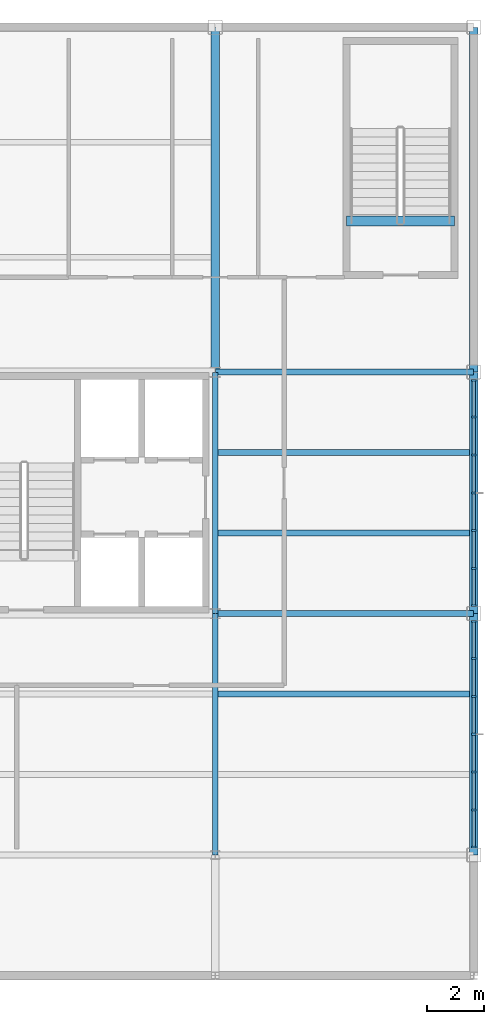
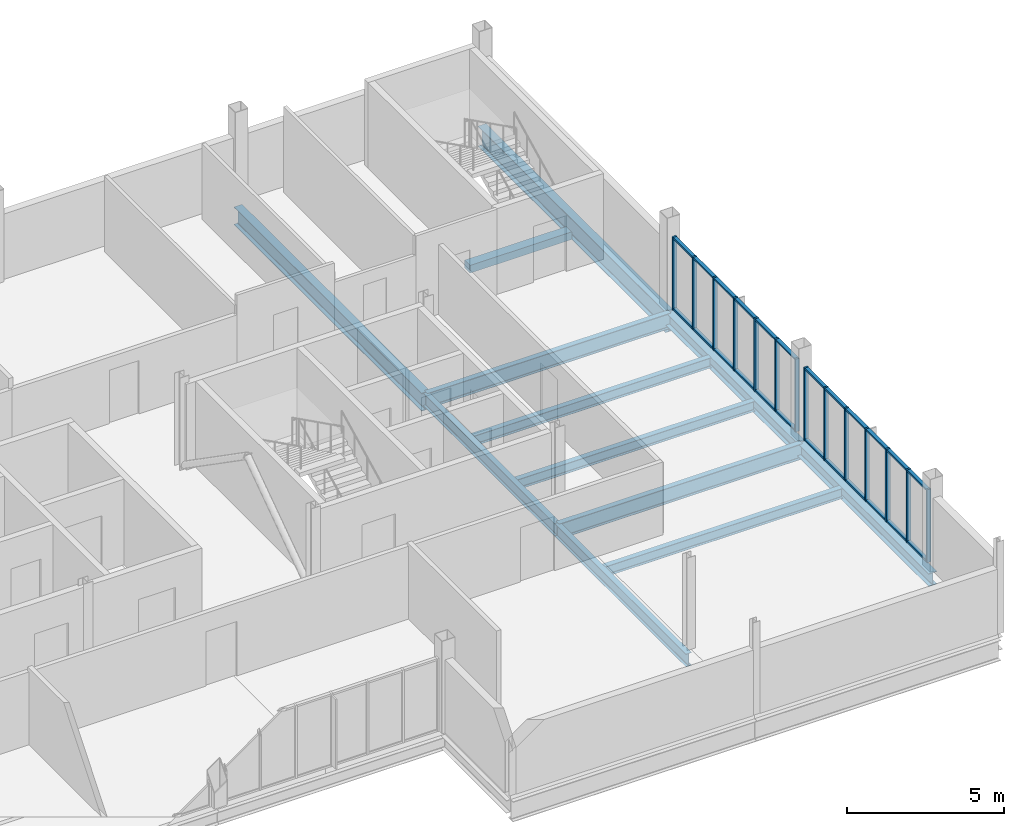
# One storey, part 8 of 16: 38 members, 12 beams, 2 elements without a shape of their own.
"""IFC4 building model written with IfcOpenShell, lengths in metres."""

from ifc_helpers import new_model, si_unit, direction, frame, origin, origin_2d, place, context, subcontext, project, spatial, rectangle, i_section, extrude, material, layer, layer_set, material_profile, profile_set, type_object, element, aggregate, save


model = new_model("IFC4")

# Units and contexts
model_context = context("Model", 3, precision=1e-05, world=origin(), true_north=direction((0.0, 1.0)))
body_context = subcontext(model_context, "Body", "Model", "MODEL_VIEW")
ifc_project = project(units=[si_unit("LENGTHUNIT", "METRE"), si_unit("AREAUNIT", "SQUARE_METRE"), si_unit("VOLUMEUNIT", "CUBIC_METRE"), si_unit("PLANEANGLEUNIT", "RADIAN"), si_unit("MASSUNIT", "GRAM", prefix="KILO")], contexts=[model_context])

# Site, building, storey
site_placement = place(None, origin())
site = spatial("IfcSite", under=ifc_project, at=site_placement, CompositionType="ELEMENT")
building_placement = place(site_placement, origin())
building = spatial("IfcBuilding", under=site, at=building_placement, Name="Yukiwa Park Conservatory and Herbarium", CompositionType="ELEMENT")
storey_placement = place(building_placement, frame((0.0, 0.0, 39.60009765625)))
storey = spatial("IfcBuildingStorey", under=building, at=storey_placement, Name="L10", CompositionType="ELEMENT", Elevation=39.60009765625)

# Beams
ifc_material_1 = material(Name="Steel Q355D", Category="steel")
ifc_material_profile_1 = material_profile(ifc_material_1, i_section(OverallWidth=0.199951171875, OverallDepth=0.5, WebThickness=0.010009765625, FlangeThickness=0.01611328125, FilletRadius=0.02001953125, at=origin_2d()), Name="HN 500x200x10x16")
ifc_profile_set_1 = profile_set([ifc_material_profile_1], Name="Steel Q355D")
beam_type_1 = type_object("IfcBeamType", Name="BM-GRD-HN500", PredefinedType="BEAM", material=ifc_profile_set_1)
beam_1_placement = place(storey_placement, frame((159.0, 86.406005859375, -0.502197265625), z_axis=(0.0, 1.0, 0.0), x_axis=(-1.0, 0.0, 0.0)))
element("IfcBeam", 1, at=beam_1_placement, inside=storey, type_object=beam_type_1, Name="L10 grid girder Y-36", PredefinedType="BEAM", context=body_context, shape_type="SweptSolid", body=[
    extrude(i_section(OverallWidth=0.199951171875, OverallDepth=0.5, WebThickness=0.010009765625, FlangeThickness=0.01611328125, FilletRadius=0.02001953125, at=origin_2d()), origin(), (0.0, 0.0, 1.0), 8.387939453125),
])
beam_2_placement = place(storey_placement, frame((159.0, 94.805908203125, -0.502197265625), z_axis=(0.0, 1.0, 0.0), x_axis=(-1.0, 0.0, 0.0)))
element("IfcBeam", 2, at=beam_2_placement, inside=storey, type_object=beam_type_1, Name="L10 grid girder Y-37", PredefinedType="BEAM", context=body_context, shape_type="SweptSolid", body=[
    extrude(i_section(OverallWidth=0.199951171875, OverallDepth=0.5, WebThickness=0.010009765625, FlangeThickness=0.01611328125, FilletRadius=0.02001953125, at=origin_2d()), origin(), (0.0, 0.0, 1.0), 8.38818359375),
])
ifc_material_2 = material(Name="Steel Q355D", Category="steel")
ifc_material_profile_2 = material_profile(ifc_material_2, i_section(OverallWidth=0.199951171875, OverallDepth=0.60009765625, WebThickness=0.010986328125, FlangeThickness=0.01708984375, FilletRadius=0.02197265625, at=origin_2d()), Name="HN 600x200x11x17")
ifc_profile_set_2 = profile_set([ifc_material_profile_2], Name="Steel Q355D")
beam_type_2 = type_object("IfcBeamType", Name="BM-GRD-HN600", PredefinedType="BEAM", material=ifc_profile_set_2)
for number, where, z_axis, x_axis, name in (
    (3, (159.006103515625, 94.800048828125, -0.552001953125), (1.0, 0.0, 0.0), (0.0, 1.0, 0.0), "L10 grid beam X-12"),
    (4, (159.006103515625, 103.199951171875, -0.552001953125), (1.0, 0.0, 0.0), (0.0, 1.0, 0.0), "L10 grid beam X-17"),
):
    element("IfcBeam", number, at=place(storey_placement, frame(where, z_axis=z_axis, x_axis=x_axis)), inside=storey, type_object=beam_type_2, Name=name, PredefinedType="BEAM", context=body_context, shape_type="SweptSolid", body=[
        extrude(i_section(OverallWidth=0.199951171875, OverallDepth=0.60009765625, WebThickness=0.010986328125, FlangeThickness=0.01708984375, FilletRadius=0.02197265625, at=origin_2d()), origin(), (0.0, 0.0, 1.0), 8.98779296875),
    ])
ifc_material_3 = material(Name="Steel Q355D", Category="steel")
ifc_material_profile_3 = material_profile(ifc_material_3, i_section(OverallWidth=0.300048828125, OverallDepth=0.699951171875, WebThickness=0.012939453125, FlangeThickness=0.02392578125, FilletRadius=0.028076171875, at=origin_2d()), Name="HN 700x300x13x24")
ifc_profile_set_3 = profile_set([ifc_material_profile_3], Name="Steel Q355D")
beam_type_3 = type_object("IfcBeamType", Name="BM-GRD-HN700", PredefinedType="BEAM", material=ifc_profile_set_3)
beam_3_placement = place(storey_placement, frame((159.0, 103.2060546875, -0.60205078125), z_axis=(0.0, 1.0, 0.0), x_axis=(-1.0, 0.0, 0.0)))
element("IfcBeam", 5, at=beam_3_placement, inside=storey, type_object=beam_type_3, Name="L10 grid girder Y-38", PredefinedType="BEAM", context=body_context, shape_type="SweptSolid", body=[
    extrude(i_section(OverallWidth=0.300048828125, OverallDepth=0.699951171875, WebThickness=0.012939453125, FlangeThickness=0.02392578125, FilletRadius=0.028076171875, at=origin_2d()), origin(), (0.0, 0.0, 1.0), 11.988037109375),
])
ifc_material_4 = material(Name="Steel Q355D", Category="steel")
ifc_material_profile_4 = material_profile(ifc_material_4, i_section(OverallWidth=0.198974609375, OverallDepth=0.39599609375, WebThickness=0.007080078125, FlangeThickness=0.010986328125, FilletRadius=0.01611328125, at=origin_2d()), Name="HN 396x199x7x11")
ifc_profile_set_4 = profile_set([ifc_material_profile_4], Name="Steel Q355D")
beam_type_4 = type_object("IfcBeamType", Name="BM-JST-HN396", PredefinedType="JOIST", material=ifc_profile_set_4)
for number, where, z_axis, x_axis, name in (
    (6, (159.095947265625, 92.0, -0.4501953125), (1.0, 0.0, 0.0), (0.0, 1.0, 0.0), "L10 composite floor joist 20"),
    (7, (159.095947265625, 97.60009765625, -0.4501953125), (1.0, 0.0, 0.0), (0.0, 1.0, 0.0), "L10 composite floor joist 21"),
    (8, (159.095947265625, 100.39990234375, -0.4501953125), (1.0, 0.0, 0.0), (0.0, 1.0, 0.0), "L10 composite floor joist 22"),
):
    element("IfcBeam", number, at=place(storey_placement, frame(where, z_axis=z_axis, x_axis=x_axis)), inside=storey, type_object=beam_type_4, Name=name, PredefinedType="JOIST", context=body_context, shape_type="SweptSolid", body=[
        extrude(i_section(OverallWidth=0.198974609375, OverallDepth=0.39599609375, WebThickness=0.007080078125, FlangeThickness=0.010986328125, FilletRadius=0.01611328125, at=origin_2d()), origin(), (0.0, 0.0, 1.0), 8.758056640625),
    ])
ifc_material_5 = material(Name="Steel Q355D", Category="steel")
ifc_material_profile_5 = material_profile(ifc_material_5, i_section(OverallWidth=0.300048828125, OverallDepth=0.5, WebThickness=0.010986328125, FlangeThickness=0.01806640625, FilletRadius=0.02392578125, at=origin_2d()), Name="HM 500x300x11x18")
ifc_profile_set_5 = profile_set([ifc_material_profile_5], Name="Steel Q355D")
beam_type_5 = type_object("IfcBeamType", Name="BM-SPN-HN500", PredefinedType="SPANDREL", material=ifc_profile_set_5)
beam_4_placement = place(storey_placement, frame((168.0, 86.406005859375, -0.502197265625), z_axis=(0.0, 1.0, 0.0), x_axis=(-1.0, 0.0, 0.0)))
element("IfcBeam", 9, at=beam_4_placement, inside=storey, type_object=beam_type_5, Name="L10 spandrel girder Y-40", PredefinedType="SPANDREL", context=body_context, shape_type="SweptSolid", body=[
    extrude(i_section(OverallWidth=0.300048828125, OverallDepth=0.5, WebThickness=0.010986328125, FlangeThickness=0.01806640625, FilletRadius=0.02392578125, at=origin_2d()), origin(), (0.0, 0.0, 1.0), 8.387939453125),
])
beam_5_placement = place(storey_placement, frame((168.0, 94.805908203125, -0.502197265625), z_axis=(0.0, 1.0, 0.0), x_axis=(-1.0, 0.0, 0.0)))
element("IfcBeam", 10, at=beam_5_placement, inside=storey, type_object=beam_type_5, Name="L10 spandrel girder Y-41", PredefinedType="SPANDREL", context=body_context, shape_type="SweptSolid", body=[
    extrude(i_section(OverallWidth=0.300048828125, OverallDepth=0.5, WebThickness=0.010986328125, FlangeThickness=0.01806640625, FilletRadius=0.02392578125, at=origin_2d()), origin(), (0.0, 0.0, 1.0), 8.38818359375),
])
ifc_material_6 = material(Name="Steel Q355D", Category="steel")
ifc_material_profile_6 = material_profile(ifc_material_6, i_section(OverallWidth=0.300048828125, OverallDepth=0.7919921875, WebThickness=0.013916015625, FlangeThickness=0.02197265625, FilletRadius=0.028076171875, at=origin_2d()), Name="HN 792x300x14x22")
ifc_profile_set_6 = profile_set([ifc_material_profile_6], Name="Steel Q355D")
beam_type_6 = type_object("IfcBeamType", Name="BM-SPN-HN600", PredefinedType="SPANDREL", material=ifc_profile_set_6)
beam_6_placement = place(storey_placement, frame((168.0, 103.2060546875, -0.648193359375), z_axis=(0.0, 1.0, 0.0), x_axis=(-1.0, 0.0, 0.0)))
element("IfcBeam", 11, at=beam_6_placement, inside=storey, type_object=beam_type_6, Name="L10 spandrel girder Y-42", PredefinedType="SPANDREL", context=body_context, shape_type="SweptSolid", body=[
    extrude(i_section(OverallWidth=0.300048828125, OverallDepth=0.7919921875, WebThickness=0.013916015625, FlangeThickness=0.02197265625, FilletRadius=0.028076171875, at=origin_2d()), origin(), (0.0, 0.0, 1.0), 11.988037109375),
])
ifc_material_7 = material(Name="Concrete C40", Category="concrete")
ifc_material_profile_7 = material_profile(ifc_material_7, rectangle(XDim=0.35009765625, YDim=0.300048828125, at=origin_2d()), Name="RC 350x300")
ifc_profile_set_7 = profile_set([ifc_material_profile_7], Name="Concrete C40")
beam_type_7 = type_object("IfcBeamType", Name="BM-STAIR-TRIM", PredefinedType="BEAM", material=ifc_profile_set_7)
beam_7_placement = place(storey_placement, frame((163.570068359375, 108.4599609375, -0.150146484375), z_axis=(1.0, 0.0, 0.0), x_axis=(0.0, 1.0, 0.0)))
element("IfcBeam", 12, at=beam_7_placement, inside=storey, type_object=beam_type_7, Name="Stair ST-T3 L10 landing trimmer beam", PredefinedType="BEAM", context=body_context, shape_type="SweptSolid", body=[
    extrude(rectangle(XDim=0.35009765625, YDim=0.300048828125, at=origin_2d()), origin(), (0.0, 0.0, 1.0), 3.75),
])

# Curtain wall, members
ifc_material_8 = material(Name="Triple Low-E Insulated Glass", Category="glass")
ifc_layer = layer(ifc_material_8, 0.22412109375)
ifc_layer_set = layer_set([ifc_layer], Name="Triple Low-E Insulated Glass")
curtain_wall_type = type_object("IfcCurtainWallType", Name="CW-TOWER-CORNER-1400", PredefinedType="NOTDEFINED", material=ifc_layer_set)
curtain_wall_1_placement = place(storey_placement, origin())
curtain_wall_1 = element("IfcCurtainWall", 13, at=curtain_wall_1_placement, inside=storey, type_object=curtain_wall_type, Name="L10 unitised curtain wall CW-L10-105", PredefinedType="NOTDEFINED")
ifc_material_9 = material(Name="Anodised Aluminium", Category="aluminium")
member_type_1 = type_object("IfcMemberType", Name="MB-CW-MUL-70X150", PredefinedType="MULLION", material=ifc_material_9)
member_1_placement = place(storey_placement, frame((168.0, 86.68505859375, 0.0), z_axis=(0.0, 0.0, 1.0), x_axis=(0.0, 1.0, 0.0)))
member_1 = element("IfcMember", 14, at=member_1_placement, type_object=member_type_1, Name="CW-L10-105 mullion 1", PredefinedType="MULLION", context=body_context, shape_type="SweptSolid", body=[
    extrude(rectangle(XDim=0.070068359375, YDim=0.14990234375, at=origin_2d()), origin(), (0.0, 0.0, 1.0), 2.842041015625),
])
member_2_placement = place(storey_placement, frame((168.0, 87.966796875, 0.0), z_axis=(0.0, 0.0, 1.0), x_axis=(0.0, 1.0, 0.0)))
member_2 = element("IfcMember", 15, at=member_2_placement, type_object=member_type_1, Name="CW-L10-105 mullion 2", PredefinedType="MULLION", context=body_context, shape_type="SweptSolid", body=[
    extrude(rectangle(XDim=0.070068359375, YDim=0.14990234375, at=origin_2d()), origin(), (0.0, 0.0, 1.0), 2.842041015625),
])
member_3_placement = place(storey_placement, frame((168.0, 89.283203125, 0.0), z_axis=(0.0, 0.0, 1.0), x_axis=(0.0, 1.0, 0.0)))
member_3 = element("IfcMember", 16, at=member_3_placement, type_object=member_type_1, Name="CW-L10-105 mullion 3", PredefinedType="MULLION", context=body_context, shape_type="SweptSolid", body=[
    extrude(rectangle(XDim=0.070068359375, YDim=0.14990234375, at=origin_2d()), origin(), (0.0, 0.0, 1.0), 2.842041015625),
])
member_4_placement = place(storey_placement, frame((168.0, 90.60009765625, 0.0), z_axis=(0.0, 0.0, 1.0), x_axis=(0.0, 1.0, 0.0)))
member_4 = element("IfcMember", 17, at=member_4_placement, type_object=member_type_1, Name="CW-L10-105 mullion 4", PredefinedType="MULLION", context=body_context, shape_type="SweptSolid", body=[
    extrude(rectangle(XDim=0.070068359375, YDim=0.14990234375, at=origin_2d()), origin(), (0.0, 0.0, 1.0), 2.842041015625),
])
member_5_placement = place(storey_placement, frame((168.0, 91.916748046875, 0.0), z_axis=(0.0, 0.0, 1.0), x_axis=(0.0, 1.0, 0.0)))
member_5 = element("IfcMember", 18, at=member_5_placement, type_object=member_type_1, Name="CW-L10-105 mullion 5", PredefinedType="MULLION", context=body_context, shape_type="SweptSolid", body=[
    extrude(rectangle(XDim=0.070068359375, YDim=0.14990234375, at=origin_2d()), origin(), (0.0, 0.0, 1.0), 2.842041015625),
])
member_6_placement = place(storey_placement, frame((168.0, 93.2333984375, 0.0), z_axis=(0.0, 0.0, 1.0), x_axis=(0.0, 1.0, 0.0)))
member_6 = element("IfcMember", 19, at=member_6_placement, type_object=member_type_1, Name="CW-L10-105 mullion 6", PredefinedType="MULLION", context=body_context, shape_type="SweptSolid", body=[
    extrude(rectangle(XDim=0.070068359375, YDim=0.14990234375, at=origin_2d()), origin(), (0.0, 0.0, 1.0), 2.842041015625),
])
member_7_placement = place(storey_placement, frame((168.0, 94.514892578125, 0.0), z_axis=(0.0, 0.0, 1.0), x_axis=(0.0, 1.0, 0.0)))
member_7 = element("IfcMember", 20, at=member_7_placement, type_object=member_type_1, Name="CW-L10-105 mullion 7", PredefinedType="MULLION", context=body_context, shape_type="SweptSolid", body=[
    extrude(rectangle(XDim=0.070068359375, YDim=0.14990234375, at=origin_2d()), origin(), (0.0, 0.0, 1.0), 2.842041015625),
])

curtain_wall_2_placement = place(storey_placement, origin())
curtain_wall_2 = element("IfcCurtainWall", 21, at=curtain_wall_2_placement, inside=storey, type_object=curtain_wall_type, Name="L10 unitised curtain wall CW-L10-106", PredefinedType="NOTDEFINED")
member_8_placement = place(storey_placement, frame((168.0, 95.0849609375, 0.0), z_axis=(0.0, 0.0, 1.0), x_axis=(0.0, 1.0, 0.0)))
member_8 = element("IfcMember", 22, at=member_8_placement, type_object=member_type_1, Name="CW-L10-106 mullion 1", PredefinedType="MULLION", context=body_context, shape_type="SweptSolid", body=[
    extrude(rectangle(XDim=0.070068359375, YDim=0.14990234375, at=origin_2d()), origin(), (0.0, 0.0, 1.0), 2.842041015625),
])
member_9_placement = place(storey_placement, frame((168.0, 96.36669921875, 0.0), z_axis=(0.0, 0.0, 1.0), x_axis=(0.0, 1.0, 0.0)))
member_9 = element("IfcMember", 23, at=member_9_placement, type_object=member_type_1, Name="CW-L10-106 mullion 2", PredefinedType="MULLION", context=body_context, shape_type="SweptSolid", body=[
    extrude(rectangle(XDim=0.070068359375, YDim=0.14990234375, at=origin_2d()), origin(), (0.0, 0.0, 1.0), 2.842041015625),
])
member_10_placement = place(storey_placement, frame((168.0, 97.683349609375, 0.0), z_axis=(0.0, 0.0, 1.0), x_axis=(0.0, 1.0, 0.0)))
member_10 = element("IfcMember", 24, at=member_10_placement, type_object=member_type_1, Name="CW-L10-106 mullion 3", PredefinedType="MULLION", context=body_context, shape_type="SweptSolid", body=[
    extrude(rectangle(XDim=0.070068359375, YDim=0.14990234375, at=origin_2d()), origin(), (0.0, 0.0, 1.0), 2.842041015625),
])
member_11_placement = place(storey_placement, frame((168.0, 99.0, 0.0), z_axis=(0.0, 0.0, 1.0), x_axis=(0.0, 1.0, 0.0)))
member_11 = element("IfcMember", 25, at=member_11_placement, type_object=member_type_1, Name="CW-L10-106 mullion 4", PredefinedType="MULLION", context=body_context, shape_type="SweptSolid", body=[
    extrude(rectangle(XDim=0.070068359375, YDim=0.14990234375, at=origin_2d()), origin(), (0.0, 0.0, 1.0), 2.842041015625),
])
member_12_placement = place(storey_placement, frame((168.0, 100.316650390625, 0.0), z_axis=(0.0, 0.0, 1.0), x_axis=(0.0, 1.0, 0.0)))
member_12 = element("IfcMember", 26, at=member_12_placement, type_object=member_type_1, Name="CW-L10-106 mullion 5", PredefinedType="MULLION", context=body_context, shape_type="SweptSolid", body=[
    extrude(rectangle(XDim=0.070068359375, YDim=0.14990234375, at=origin_2d()), origin(), (0.0, 0.0, 1.0), 2.842041015625),
])
member_13_placement = place(storey_placement, frame((168.0, 101.63330078125, 0.0), z_axis=(0.0, 0.0, 1.0), x_axis=(0.0, 1.0, 0.0)))
member_13 = element("IfcMember", 27, at=member_13_placement, type_object=member_type_1, Name="CW-L10-106 mullion 6", PredefinedType="MULLION", context=body_context, shape_type="SweptSolid", body=[
    extrude(rectangle(XDim=0.070068359375, YDim=0.14990234375, at=origin_2d()), origin(), (0.0, 0.0, 1.0), 2.842041015625),
])
member_14_placement = place(storey_placement, frame((168.0, 102.9150390625, 0.0), z_axis=(0.0, 0.0, 1.0), x_axis=(0.0, 1.0, 0.0)))
member_14 = element("IfcMember", 28, at=member_14_placement, type_object=member_type_1, Name="CW-L10-106 mullion 7", PredefinedType="MULLION", context=body_context, shape_type="SweptSolid", body=[
    extrude(rectangle(XDim=0.070068359375, YDim=0.14990234375, at=origin_2d()), origin(), (0.0, 0.0, 1.0), 2.842041015625),
])

# Member
ifc_material_10 = material(Name="Anodised Aluminium", Category="aluminium")
member_type_2 = type_object("IfcMemberType", Name="MB-CW-TRN-70X130", PredefinedType="USERDEFINED", material=ifc_material_10)
member_15_placement = place(storey_placement, frame((168.0, 87.308349609375, 0.0), z_axis=(0.0, 0.0, 1.0), x_axis=(0.0, 1.0, 0.0)))
member_15 = element("IfcMember", 29, at=member_15_placement, type_object=member_type_2, Name="CW-L10-105 transom 1.1", ObjectType="TRANSOM", PredefinedType="USERDEFINED", context=body_context, shape_type="SweptSolid", body=[
    extrude(rectangle(XDim=1.24658203125, YDim=0.1298828125, at=origin_2d()), origin(), (0.0, 0.0, 1.0), 0.070068359375),
])

member_16_placement = place(storey_placement, frame((168.0, 87.308349609375, 2.77197265625), z_axis=(0.0, 0.0, 1.0), x_axis=(0.0, 1.0, 0.0)))
member_16 = element("IfcMember", 30, at=member_16_placement, type_object=member_type_2, Name="CW-L10-105 transom 1.2", ObjectType="TRANSOM", PredefinedType="USERDEFINED", context=body_context, shape_type="SweptSolid", body=[
    extrude(rectangle(XDim=1.24658203125, YDim=0.1298828125, at=origin_2d()), origin(), (0.0, 0.0, 1.0), 0.070068359375),
])

member_17_placement = place(storey_placement, frame((168.0, 88.625, 0.0), z_axis=(0.0, 0.0, 1.0), x_axis=(0.0, 1.0, 0.0)))
member_17 = element("IfcMember", 31, at=member_17_placement, type_object=member_type_2, Name="CW-L10-105 transom 2.1", ObjectType="TRANSOM", PredefinedType="USERDEFINED", context=body_context, shape_type="SweptSolid", body=[
    extrude(rectangle(XDim=1.24658203125, YDim=0.1298828125, at=origin_2d()), origin(), (0.0, 0.0, 1.0), 0.070068359375),
])

member_18_placement = place(storey_placement, frame((168.0, 88.625, 2.77197265625), z_axis=(0.0, 0.0, 1.0), x_axis=(0.0, 1.0, 0.0)))
member_18 = element("IfcMember", 32, at=member_18_placement, type_object=member_type_2, Name="CW-L10-105 transom 2.2", ObjectType="TRANSOM", PredefinedType="USERDEFINED", context=body_context, shape_type="SweptSolid", body=[
    extrude(rectangle(XDim=1.24658203125, YDim=0.1298828125, at=origin_2d()), origin(), (0.0, 0.0, 1.0), 0.070068359375),
])

member_19_placement = place(storey_placement, frame((168.0, 89.941650390625, 0.0), z_axis=(0.0, 0.0, 1.0), x_axis=(0.0, 1.0, 0.0)))
member_19 = element("IfcMember", 33, at=member_19_placement, type_object=member_type_2, Name="CW-L10-105 transom 3.1", ObjectType="TRANSOM", PredefinedType="USERDEFINED", context=body_context, shape_type="SweptSolid", body=[
    extrude(rectangle(XDim=1.24658203125, YDim=0.1298828125, at=origin_2d()), origin(), (0.0, 0.0, 1.0), 0.070068359375),
])

member_20_placement = place(storey_placement, frame((168.0, 89.941650390625, 2.77197265625), z_axis=(0.0, 0.0, 1.0), x_axis=(0.0, 1.0, 0.0)))
member_20 = element("IfcMember", 34, at=member_20_placement, type_object=member_type_2, Name="CW-L10-105 transom 3.2", ObjectType="TRANSOM", PredefinedType="USERDEFINED", context=body_context, shape_type="SweptSolid", body=[
    extrude(rectangle(XDim=1.24658203125, YDim=0.1298828125, at=origin_2d()), origin(), (0.0, 0.0, 1.0), 0.070068359375),
])

member_21_placement = place(storey_placement, frame((168.0, 91.25830078125, 0.0), z_axis=(0.0, 0.0, 1.0), x_axis=(0.0, 1.0, 0.0)))
member_21 = element("IfcMember", 35, at=member_21_placement, type_object=member_type_2, Name="CW-L10-105 transom 4.1", ObjectType="TRANSOM", PredefinedType="USERDEFINED", context=body_context, shape_type="SweptSolid", body=[
    extrude(rectangle(XDim=1.24658203125, YDim=0.1298828125, at=origin_2d()), origin(), (0.0, 0.0, 1.0), 0.070068359375),
])

member_22_placement = place(storey_placement, frame((168.0, 91.25830078125, 2.77197265625), z_axis=(0.0, 0.0, 1.0), x_axis=(0.0, 1.0, 0.0)))
member_22 = element("IfcMember", 36, at=member_22_placement, type_object=member_type_2, Name="CW-L10-105 transom 4.2", ObjectType="TRANSOM", PredefinedType="USERDEFINED", context=body_context, shape_type="SweptSolid", body=[
    extrude(rectangle(XDim=1.24658203125, YDim=0.1298828125, at=origin_2d()), origin(), (0.0, 0.0, 1.0), 0.070068359375),
])

member_23_placement = place(storey_placement, frame((168.0, 92.574951171875, 0.0), z_axis=(0.0, 0.0, 1.0), x_axis=(0.0, 1.0, 0.0)))
member_23 = element("IfcMember", 37, at=member_23_placement, type_object=member_type_2, Name="CW-L10-105 transom 5.1", ObjectType="TRANSOM", PredefinedType="USERDEFINED", context=body_context, shape_type="SweptSolid", body=[
    extrude(rectangle(XDim=1.24658203125, YDim=0.1298828125, at=origin_2d()), origin(), (0.0, 0.0, 1.0), 0.070068359375),
])

member_24_placement = place(storey_placement, frame((168.0, 92.574951171875, 2.77197265625), z_axis=(0.0, 0.0, 1.0), x_axis=(0.0, 1.0, 0.0)))
member_24 = element("IfcMember", 38, at=member_24_placement, type_object=member_type_2, Name="CW-L10-105 transom 5.2", ObjectType="TRANSOM", PredefinedType="USERDEFINED", context=body_context, shape_type="SweptSolid", body=[
    extrude(rectangle(XDim=1.24658203125, YDim=0.1298828125, at=origin_2d()), origin(), (0.0, 0.0, 1.0), 0.070068359375),
])

member_25_placement = place(storey_placement, frame((168.0, 93.8916015625, 0.0), z_axis=(0.0, 0.0, 1.0), x_axis=(0.0, 1.0, 0.0)))
member_25 = element("IfcMember", 39, at=member_25_placement, type_object=member_type_2, Name="CW-L10-105 transom 6.1", ObjectType="TRANSOM", PredefinedType="USERDEFINED", context=body_context, shape_type="SweptSolid", body=[
    extrude(rectangle(XDim=1.24658203125, YDim=0.1298828125, at=origin_2d()), origin(), (0.0, 0.0, 1.0), 0.070068359375),
])

member_26_placement = place(storey_placement, frame((168.0, 93.8916015625, 2.77197265625), z_axis=(0.0, 0.0, 1.0), x_axis=(0.0, 1.0, 0.0)))
member_26 = element("IfcMember", 40, at=member_26_placement, type_object=member_type_2, Name="CW-L10-105 transom 6.2", ObjectType="TRANSOM", PredefinedType="USERDEFINED", context=body_context, shape_type="SweptSolid", body=[
    extrude(rectangle(XDim=1.24658203125, YDim=0.1298828125, at=origin_2d()), origin(), (0.0, 0.0, 1.0), 0.070068359375),
])

aggregate(curtain_wall_1, [member_1, member_2, member_3, member_4, member_5, member_6, member_7, member_15, member_16, member_17, member_18, member_19, member_20, member_21, member_22, member_23, member_24, member_25, member_26])

member_27_placement = place(storey_placement, frame((168.0, 95.708251953125, 0.0), z_axis=(0.0, 0.0, 1.0), x_axis=(0.0, 1.0, 0.0)))
member_27 = element("IfcMember", 41, at=member_27_placement, type_object=member_type_2, Name="CW-L10-106 transom 1.1", ObjectType="TRANSOM", PredefinedType="USERDEFINED", context=body_context, shape_type="SweptSolid", body=[
    extrude(rectangle(XDim=1.24658203125, YDim=0.1298828125, at=origin_2d()), origin(), (0.0, 0.0, 1.0), 0.070068359375),
])

member_28_placement = place(storey_placement, frame((168.0, 95.708251953125, 2.77197265625), z_axis=(0.0, 0.0, 1.0), x_axis=(0.0, 1.0, 0.0)))
member_28 = element("IfcMember", 42, at=member_28_placement, type_object=member_type_2, Name="CW-L10-106 transom 1.2", ObjectType="TRANSOM", PredefinedType="USERDEFINED", context=body_context, shape_type="SweptSolid", body=[
    extrude(rectangle(XDim=1.24658203125, YDim=0.1298828125, at=origin_2d()), origin(), (0.0, 0.0, 1.0), 0.070068359375),
])

member_29_placement = place(storey_placement, frame((168.0, 97.02490234375, 0.0), z_axis=(0.0, 0.0, 1.0), x_axis=(0.0, 1.0, 0.0)))
member_29 = element("IfcMember", 43, at=member_29_placement, type_object=member_type_2, Name="CW-L10-106 transom 2.1", ObjectType="TRANSOM", PredefinedType="USERDEFINED", context=body_context, shape_type="SweptSolid", body=[
    extrude(rectangle(XDim=1.24658203125, YDim=0.1298828125, at=origin_2d()), origin(), (0.0, 0.0, 1.0), 0.070068359375),
])

member_30_placement = place(storey_placement, frame((168.0, 97.02490234375, 2.77197265625), z_axis=(0.0, 0.0, 1.0), x_axis=(0.0, 1.0, 0.0)))
member_30 = element("IfcMember", 44, at=member_30_placement, type_object=member_type_2, Name="CW-L10-106 transom 2.2", ObjectType="TRANSOM", PredefinedType="USERDEFINED", context=body_context, shape_type="SweptSolid", body=[
    extrude(rectangle(XDim=1.24658203125, YDim=0.1298828125, at=origin_2d()), origin(), (0.0, 0.0, 1.0), 0.070068359375),
])

member_31_placement = place(storey_placement, frame((168.0, 98.341796875, 0.0), z_axis=(0.0, 0.0, 1.0), x_axis=(0.0, 1.0, 0.0)))
member_31 = element("IfcMember", 45, at=member_31_placement, type_object=member_type_2, Name="CW-L10-106 transom 3.1", ObjectType="TRANSOM", PredefinedType="USERDEFINED", context=body_context, shape_type="SweptSolid", body=[
    extrude(rectangle(XDim=1.24658203125, YDim=0.1298828125, at=origin_2d()), origin(), (0.0, 0.0, 1.0), 0.070068359375),
])

member_32_placement = place(storey_placement, frame((168.0, 98.341796875, 2.77197265625), z_axis=(0.0, 0.0, 1.0), x_axis=(0.0, 1.0, 0.0)))
member_32 = element("IfcMember", 46, at=member_32_placement, type_object=member_type_2, Name="CW-L10-106 transom 3.2", ObjectType="TRANSOM", PredefinedType="USERDEFINED", context=body_context, shape_type="SweptSolid", body=[
    extrude(rectangle(XDim=1.24658203125, YDim=0.1298828125, at=origin_2d()), origin(), (0.0, 0.0, 1.0), 0.070068359375),
])

member_33_placement = place(storey_placement, frame((168.0, 99.658203125, 0.0), z_axis=(0.0, 0.0, 1.0), x_axis=(0.0, 1.0, 0.0)))
member_33 = element("IfcMember", 47, at=member_33_placement, type_object=member_type_2, Name="CW-L10-106 transom 4.1", ObjectType="TRANSOM", PredefinedType="USERDEFINED", context=body_context, shape_type="SweptSolid", body=[
    extrude(rectangle(XDim=1.24658203125, YDim=0.1298828125, at=origin_2d()), origin(), (0.0, 0.0, 1.0), 0.070068359375),
])

member_34_placement = place(storey_placement, frame((168.0, 99.658203125, 2.77197265625), z_axis=(0.0, 0.0, 1.0), x_axis=(0.0, 1.0, 0.0)))
member_34 = element("IfcMember", 48, at=member_34_placement, type_object=member_type_2, Name="CW-L10-106 transom 4.2", ObjectType="TRANSOM", PredefinedType="USERDEFINED", context=body_context, shape_type="SweptSolid", body=[
    extrude(rectangle(XDim=1.24658203125, YDim=0.1298828125, at=origin_2d()), origin(), (0.0, 0.0, 1.0), 0.070068359375),
])

member_35_placement = place(storey_placement, frame((168.0, 100.97509765625, 0.0), z_axis=(0.0, 0.0, 1.0), x_axis=(0.0, 1.0, 0.0)))
member_35 = element("IfcMember", 49, at=member_35_placement, type_object=member_type_2, Name="CW-L10-106 transom 5.1", ObjectType="TRANSOM", PredefinedType="USERDEFINED", context=body_context, shape_type="SweptSolid", body=[
    extrude(rectangle(XDim=1.24658203125, YDim=0.1298828125, at=origin_2d()), origin(), (0.0, 0.0, 1.0), 0.070068359375),
])

member_36_placement = place(storey_placement, frame((168.0, 100.97509765625, 2.77197265625), z_axis=(0.0, 0.0, 1.0), x_axis=(0.0, 1.0, 0.0)))
member_36 = element("IfcMember", 50, at=member_36_placement, type_object=member_type_2, Name="CW-L10-106 transom 5.2", ObjectType="TRANSOM", PredefinedType="USERDEFINED", context=body_context, shape_type="SweptSolid", body=[
    extrude(rectangle(XDim=1.24658203125, YDim=0.1298828125, at=origin_2d()), origin(), (0.0, 0.0, 1.0), 0.070068359375),
])

member_37_placement = place(storey_placement, frame((168.0, 102.291748046875, 0.0), z_axis=(0.0, 0.0, 1.0), x_axis=(0.0, 1.0, 0.0)))
member_37 = element("IfcMember", 51, at=member_37_placement, type_object=member_type_2, Name="CW-L10-106 transom 6.1", ObjectType="TRANSOM", PredefinedType="USERDEFINED", context=body_context, shape_type="SweptSolid", body=[
    extrude(rectangle(XDim=1.24658203125, YDim=0.1298828125, at=origin_2d()), origin(), (0.0, 0.0, 1.0), 0.070068359375),
])

member_38_placement = place(storey_placement, frame((168.0, 102.291748046875, 2.77197265625), z_axis=(0.0, 0.0, 1.0), x_axis=(0.0, 1.0, 0.0)))
member_38 = element("IfcMember", 52, at=member_38_placement, type_object=member_type_2, Name="CW-L10-106 transom 6.2", ObjectType="TRANSOM", PredefinedType="USERDEFINED", context=body_context, shape_type="SweptSolid", body=[
    extrude(rectangle(XDim=1.24658203125, YDim=0.1298828125, at=origin_2d()), origin(), (0.0, 0.0, 1.0), 0.070068359375),
])

aggregate(curtain_wall_2, [member_8, member_9, member_10, member_11, member_12, member_13, member_14, member_27, member_28, member_29, member_30, member_31, member_32, member_33, member_34, member_35, member_36, member_37, member_38])

save(model, "model.ifc")
